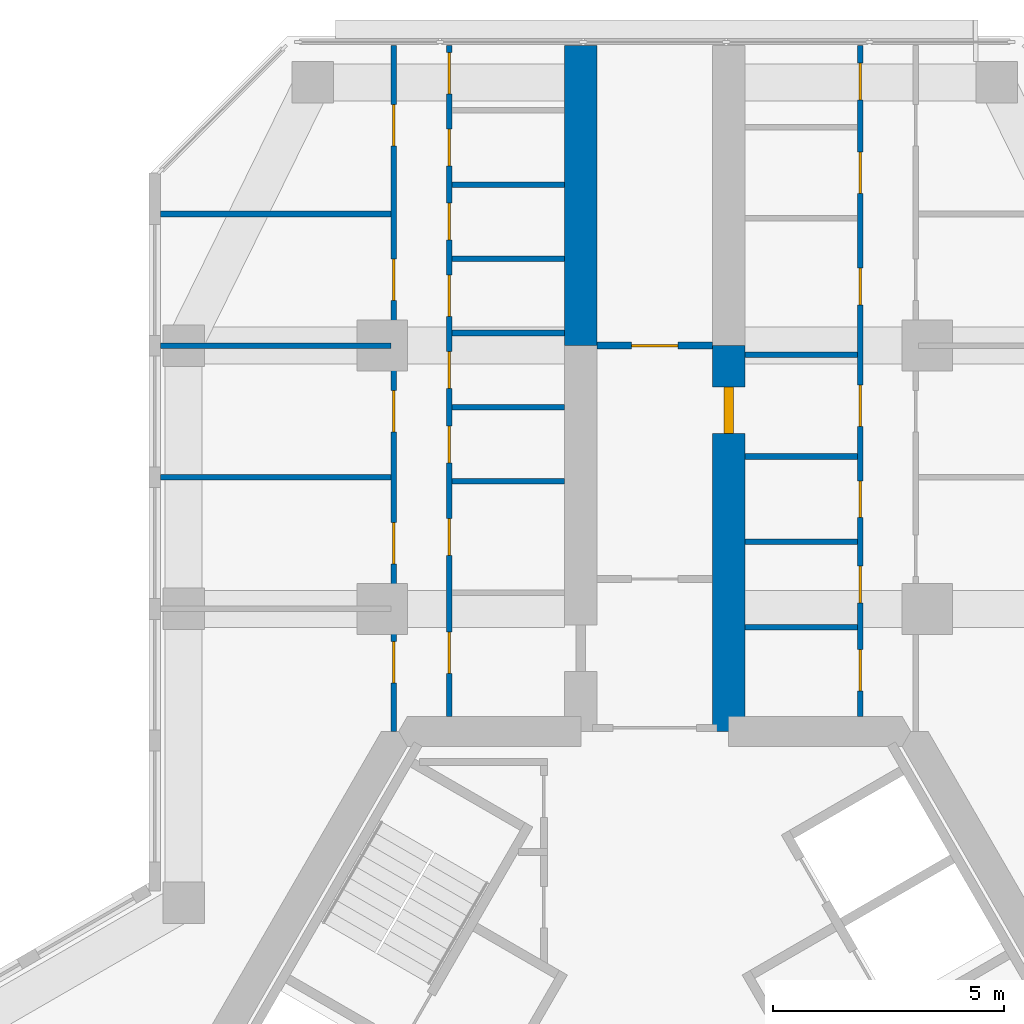
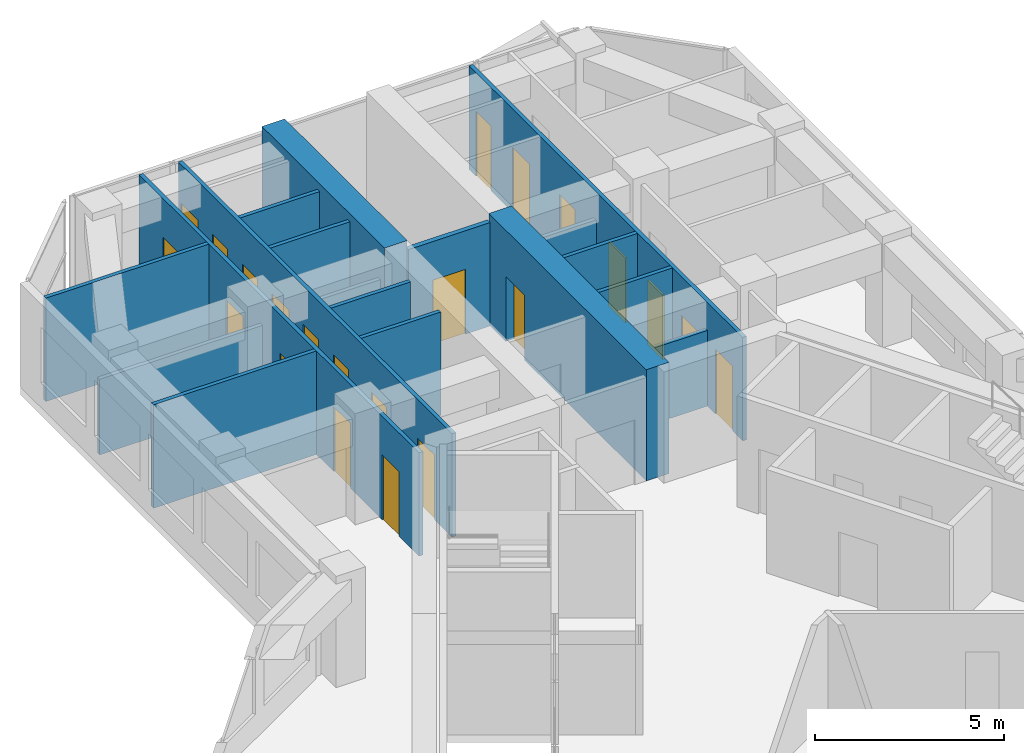
# One storey, part 14 of 16: 22 doors, 18 walls, 22 openings.
"""IFC4 building model written with IfcOpenShell, lengths in metres."""

import ifcopenshell
import ifcopenshell.guid

model = None  # the IFC model being written
_history = None  # IfcOwnerHistory: only IFC2X3 demands one
_inside = {}  # id of a spatial element -> (the spatial element, [elements in it])
_under = {}  # id of a project, library or spatial element -> (it, [spatial elements below it])
_declared = {}  # id of a project -> (the project, [libraries it declares])
_typed = {}  # id of a type object -> (the type object, [elements of that type])
_made_of = {}  # id of a material, layer set ... -> (it, [elements and type objects made of it])


def new_model(schema):
    """Start an empty IFC model of exactly this schema.

    Asked for "IFC4X3", IfcOpenShell would pick the latest addendum, in which some entities
    have other attributes; the version numbers below select the first issue.
    IFC2X3 requires an IfcOwnerHistory on every rooted entity: one is made here for all.
    """
    global model, _history
    if schema == "IFC4X3":
        model = ifcopenshell.file(schema_version=(4, 3, 0, 0))
    else:
        model = ifcopenshell.file(schema=schema)
    _inside.clear()
    _under.clear()
    _declared.clear()
    _typed.clear()
    _made_of.clear()
    _history = None
    if model.schema == "IFC2X3":
        org = make("IfcOrganization", Name="unknown")
        user = make(
            "IfcPersonAndOrganization",
            ThePerson=make("IfcPerson", FamilyName="unknown"),
            TheOrganization=org,
        )
        app = make(
            "IfcApplication",
            ApplicationDeveloper=org,
            Version="unknown",
            ApplicationFullName="unknown",
            ApplicationIdentifier="unknown",
        )
        _history = make(
            "IfcOwnerHistory",
            OwningUser=user,
            OwningApplication=app,
            ChangeAction="ADDED",
            CreationDate=0,
        )
    return model


def make(cls, **values):
    """One entity of the class cls with the attributes given. An attribute that is None is left unset."""
    return model.create_entity(
        cls, **{name: value for name, value in values.items() if value is not None}
    )


def rooted(cls, **values):
    """An entity with a GlobalId (a new one), such as an element, a storey or a relation."""
    return make(cls, GlobalId=ifcopenshell.guid.new(), OwnerHistory=_history, **values)


def si_unit(unit_type, name, prefix=None):
    """IfcSIUnit, for example si_unit("LENGTHUNIT", "METRE", prefix="MILLI")."""
    return make("IfcSIUnit", UnitType=unit_type, Prefix=prefix, Name=name)


def assignment(units):
    """IfcUnitAssignment: the units of a project."""
    return None if units is None else make("IfcUnitAssignment", Units=units)


def point(xyz):
    """IfcCartesianPoint."""
    return None if xyz is None else make("IfcCartesianPoint", Coordinates=xyz)


def direction(xyz):
    """IfcDirection."""
    return None if xyz is None else make("IfcDirection", DirectionRatios=xyz)


def frame(location, z_axis=None, x_axis=None):
    """IfcAxis2Placement3D, a coordinate frame: its origin and axes. An axis left out is left unset."""
    return make(
        "IfcAxis2Placement3D",
        Location=point(location),
        Axis=direction(z_axis),
        RefDirection=direction(x_axis),
    )


def frame_2d(location, x_axis=None):
    """IfcAxis2Placement2D, a coordinate frame in the plane: its origin and x axis."""
    return make(
        "IfcAxis2Placement2D", Location=point(location), RefDirection=direction(x_axis)
    )


def origin():
    """The frame at (0, 0, 0) with its axes left unset."""
    return frame((0.0, 0.0, 0.0))


def place(relative_to, where):
    """IfcLocalPlacement: puts the frame where relative to a parent placement (None: the world)."""
    return make(
        "IfcLocalPlacement", PlacementRelTo=relative_to, RelativePlacement=where
    )


def context(
    kind, dimensions, precision=None, world=None, true_north=None, identifier=None
):
    """IfcGeometricRepresentationContext, for example the 3D "Model" context."""
    return make(
        "IfcGeometricRepresentationContext",
        ContextIdentifier=identifier,
        ContextType=kind,
        CoordinateSpaceDimension=dimensions,
        Precision=precision,
        WorldCoordinateSystem=world,
        TrueNorth=true_north,
    )


def subcontext(parent, identifier, kind, view, scale=None):
    """IfcGeometricRepresentationSubContext, for example "Body" below "Model"."""
    return make(
        "IfcGeometricRepresentationSubContext",
        ContextIdentifier=identifier,
        ContextType=kind,
        ParentContext=parent,
        TargetScale=scale,
        TargetView=view,
    )


def project(units=None, contexts=None):
    """IfcProject with its units and contexts."""
    return rooted(
        "IfcProject",
        Name="project",
        RepresentationContexts=contexts,
        UnitsInContext=assignment(units),
    )


def spatial(cls, under=None, at=None, **own):
    """A site, building, storey or space (cls), placed at a placement, below another one or the project."""
    s = rooted(cls, ObjectPlacement=at, **own)
    if under is not None:
        _under.setdefault(under.id(), (under, []))[1].append(s)
    return s


def profile(cls, at=None, kind="AREA", **sizes):
    """A parametric profile (cls). Its sizes go by their IFC names, for example OverallWidth=200.0."""
    return make(cls, ProfileType=kind, Position=at, **sizes)


def rectangle(**sizes):
    """IfcRectangleProfileDef."""
    return profile("IfcRectangleProfileDef", **sizes)


def extrude(swept, where, along, depth):
    """IfcExtrudedAreaSolid: the profile swept, set in the frame where, extruded along a direction by depth."""
    return make(
        "IfcExtrudedAreaSolid",
        SweptArea=swept,
        Position=where,
        ExtrudedDirection=direction(along),
        Depth=depth,
    )


def shape(context_of_items, identifier, shape_type, items):
    """IfcShapeRepresentation: the items that make up one representation, for example the "Body"."""
    return make(
        "IfcShapeRepresentation",
        ContextOfItems=context_of_items,
        RepresentationIdentifier=identifier,
        RepresentationType=shape_type,
        Items=items,
    )


def material(Name=None, Category=None):
    """IfcMaterial."""
    return make("IfcMaterial", Name=Name, Category=Category)


def layer(
    of_material, thickness, ventilated=None, Name=None, Category=None, Priority=None
):
    """IfcMaterialLayer: one layer of a wall or slab, of a material (None: an air gap)."""
    return make(
        "IfcMaterialLayer",
        Material=of_material,
        LayerThickness=thickness,
        IsVentilated=ventilated,
        Name=Name,
        Category=Category,
        Priority=Priority,
    )


def layer_set(layers, Name=None):
    """IfcMaterialLayerSet."""
    return make("IfcMaterialLayerSet", MaterialLayers=layers, LayerSetName=Name)


def made_of(thing, what):
    """Note that an element or type object is made of a material, layer set ...; save() writes the relation."""
    if what is not None:
        _made_of.setdefault(what.id(), (what, []))[1].append(thing)
    return thing


def type_object(cls, material=None, **own):
    """A type object (cls), such as IfcWallType, which elements share."""
    return made_of(rooted(cls, **own), material)


def element(
    cls,
    number,
    at=None,
    inside=None,
    cuts=None,
    type_object=None,
    material=None,
    context=None,
    identifier="Body",
    shape_type=None,
    held_by="IfcProductDefinitionShape",
    body=None,
    shapes=None,
    **own,
):
    """One element of the class cls, such as IfcWall. Its Tag is "e" and its number.

    at: its placement. inside: the storey or other place that contains it. cuts: it is an
    opening in that element (IfcRelVoidsElement). A single representation is given by context,
    identifier, shape_type and body (its items); several are given by shapes. held_by: the class
    of the entity that holds the representations. save() writes the other relations.
    """
    e = rooted(cls, Tag="e%d" % number, ObjectPlacement=at, **own)
    if body is not None:
        shapes = [shape(context, identifier, shape_type, body)]
    if shapes is not None:
        e.Representation = make(held_by, Representations=shapes)
    if inside is not None:
        _inside.setdefault(inside.id(), (inside, []))[1].append(e)
    if cuts is not None:
        rooted(
            "IfcRelVoidsElement", RelatingBuildingElement=cuts, RelatedOpeningElement=e
        )
    if type_object is not None:
        _typed.setdefault(type_object.id(), (type_object, []))[1].append(e)
    return made_of(e, material)


def fill(opening, filler):
    """IfcRelFillsElement: the door or window that sits in an opening."""
    return rooted(
        "IfcRelFillsElement",
        RelatingOpeningElement=opening,
        RelatedBuildingElement=filler,
    )


def aggregate(whole, parts):
    """IfcRelAggregates: a whole, such as a stair, and the parts it consists of."""
    return rooted("IfcRelAggregates", RelatingObject=whole, RelatedObjects=parts)


def save(model, path):
    """Write the relations noted so far, then the file.

    IfcRelAggregates (storeys below a building ...), IfcRelContainedInSpatialStructure (elements
    in a storey), IfcRelDefinesByType, IfcRelAssociatesMaterial and IfcRelDeclares: one each for
    every whole, place, type object, material and project.
    """
    for whole, parts in _under.values():
        aggregate(whole, parts)
    for where, things in _inside.values():
        rooted(
            "IfcRelContainedInSpatialStructure",
            RelatedElements=things,
            RelatingStructure=where,
        )
    for kind, things in _typed.values():
        rooted("IfcRelDefinesByType", RelatedObjects=things, RelatingType=kind)
    for what, things in _made_of.values():
        rooted("IfcRelAssociatesMaterial", RelatedObjects=things, RelatingMaterial=what)
    for by, libraries in _declared.values():
        rooted("IfcRelDeclares", RelatingContext=by, RelatedDefinitions=libraries)
    model.write(path)


model = new_model("IFC4")

# Units and contexts
model_context = context("Model", 3, precision=1e-05, world=origin(), true_north=direction((0.0, 1.0)))
body_context = subcontext(model_context, "Body", "Model", "MODEL_VIEW")
ifc_project = project(units=[si_unit("LENGTHUNIT", "METRE"), si_unit("AREAUNIT", "SQUARE_METRE"), si_unit("VOLUMEUNIT", "CUBIC_METRE"), si_unit("PLANEANGLEUNIT", "RADIAN"), si_unit("MASSUNIT", "GRAM", prefix="KILO")], contexts=[model_context])

# Site, building, storey
site_placement = place(None, origin())
site = spatial("IfcSite", under=ifc_project, at=site_placement, CompositionType="ELEMENT")
building_placement = place(site_placement, origin())
building = spatial("IfcBuilding", under=site, at=building_placement, Name="Kosmar Iwan School Tower", CompositionType="ELEMENT")
storey_placement = place(building_placement, frame((0.0, 0.0, 219.0)))
storey = spatial("IfcBuildingStorey", under=building, at=storey_placement, Name="L55", CompositionType="ELEMENT", Elevation=219.0)

# Wall
ifc_material_1 = material(Name="Concrete C50/60", Category="concrete")
ifc_layer_1 = layer(ifc_material_1, 0.699951171875)
ifc_layer_set_1 = layer_set([ifc_layer_1], Name="Corridor buttress wall 700")
wall_type_1 = type_object("IfcWallType", Name="Corridor buttress wall 700", PredefinedType="SHEAR", material=ifc_layer_set_1)
wall_1_placement = place(storey_placement, frame((-1.60009765625, 17.949951171875, 0.0), z_axis=(0.0, 0.0, 1.0), x_axis=(0.0, 1.0, 0.0)))
element("IfcWall", 1, at=wall_1_placement, inside=storey, type_object=wall_type_1, Name="Corridor wall AL bay 2", PredefinedType="SHEAR", context=body_context, shape_type="SweptSolid", body=[
    extrude(rectangle(XDim=6.4951171875, YDim=0.699951171875, at=frame_2d((3.24755859375, 0.0))), origin(), (0.0, 0.0, 1.0), 3.60009765625),
])

# Wall, opening, door
wall_2_placement = place(storey_placement, frame((1.60009765625, 9.60009765625, 0.0), z_axis=(0.0, 0.0, 1.0), x_axis=(0.0, 1.0, 0.0)))
wall_2 = element("IfcWall", 2, at=wall_2_placement, inside=storey, type_object=wall_type_1, Name="Corridor wall AR", PredefinedType="SHEAR", context=body_context, shape_type="SweptSolid", body=[
    extrude(rectangle(XDim=8.349853515625, YDim=0.699951171875, at=frame_2d((4.1748046875, 0.0))), origin(), (0.0, 0.0, 1.0), 3.60009765625),
])
opening_1_placement = place(wall_2_placement, frame((6.449951171875, 0.0, 0.0)))
opening_1 = element("IfcOpeningElement", 3, at=opening_1_placement, cuts=wall_2, Name="Opening D1", PredefinedType="OPENING", context=body_context, shape_type="SweptSolid", body=[
    extrude(rectangle(XDim=1.0, YDim=2.10009765625, at=frame_2d((0.5, 1.050048828125))), frame((0.0, 0.362060546875, 0.0), z_axis=(0.0, -1.0, 0.0), x_axis=(1.0, 0.0, 0.0)), (0.0, 0.0, 1.0), 0.723876953125),
])
ifc_material_2 = material(Name="Timber fire door in steel frame", Category="steel")
door_type_1 = type_object("IfcDoorType", Name="Flat entrance door 1000x2100", OperationType="SINGLE_SWING_LEFT", PredefinedType="DOOR", material=ifc_material_2)
door_1_placement = place(opening_1_placement, origin())
door_1 = element("IfcDoor", 4, at=door_1_placement, inside=storey, type_object=door_type_1, Name="Flat L55-AR1 entrance door", OperationType="SINGLE_SWING_RIGHT", OverallHeight=2.10009765625, OverallWidth=1.0, PredefinedType="DOOR", context=body_context, shape_type="SweptSolid", body=[
    extrude(rectangle(XDim=1.0, YDim=2.10009765625, at=frame_2d((0.5, 1.050048828125))), frame((0.0, 0.10009765625, 0.0), z_axis=(0.0, -1.0, 0.0), x_axis=(1.0, 0.0, 0.0)), (0.0, 0.0, 1.0), 0.199951171875),
])
fill(opening_1, door_1)

ifc_material_3 = material(Name="Gypsum board on steel studs, fire-rated", Category="steel")
ifc_layer_2 = layer(ifc_material_3, 0.14990234375)
ifc_layer_set_2 = layer_set([ifc_layer_2], Name="Corridor end wall 150")
wall_type_2 = type_object("IfcWallType", Name="Corridor end wall 150", PredefinedType="PARTITIONING", material=ifc_layer_set_2)
wall_3_placement = place(storey_placement, frame((1.25, 17.949951171875, 0.0), z_axis=(0.0, 0.0, 1.0), x_axis=(-1.0, 0.0, 0.0)))
wall_3 = element("IfcWall", 5, at=wall_3_placement, inside=storey, type_object=wall_type_2, Name="Partition L55-A-CE", PredefinedType="PARTITIONING", context=body_context, shape_type="SweptSolid", body=[
    extrude(rectangle(XDim=2.5, YDim=0.14990234375, at=frame_2d((1.25, 0.0))), origin(), (0.0, 0.0, 1.0), 3.35009765625),
])
opening_2_placement = place(wall_3_placement, frame((0.75, 0.0, 0.0)))
opening_2 = element("IfcOpeningElement", 6, at=opening_2_placement, cuts=wall_3, Name="Opening D13", PredefinedType="OPENING", context=body_context, shape_type="SweptSolid", body=[
    extrude(rectangle(XDim=1.0, YDim=2.10009765625, at=frame_2d((0.5, 1.050048828125))), frame((0.0, 0.0869140625, 0.0), z_axis=(0.0, -1.0, 0.0), x_axis=(1.0, 0.0, 0.0)), (0.0, 0.0, 1.0), 0.173828125),
])
ifc_material_4 = material(Name="Timber fire door with vision panel", Category="wood")
door_type_2 = type_object("IfcDoorType", Name="Corridor end door 1000x2100", OperationType="SINGLE_SWING_LEFT", PredefinedType="DOOR", material=ifc_material_4)
door_2_placement = place(opening_2_placement, origin())
door_2 = element("IfcDoor", 7, at=door_2_placement, inside=storey, type_object=door_type_2, Name="Reading room door L55-A", OperationType="SINGLE_SWING_LEFT", OverallHeight=2.10009765625, OverallWidth=1.0, PredefinedType="DOOR", context=body_context, shape_type="SweptSolid", body=[
    extrude(rectangle(XDim=1.0, YDim=2.10009765625, at=frame_2d((0.5, 1.050048828125))), frame((0.0, 0.02490234375, 0.0), z_axis=(0.0, -1.0, 0.0), x_axis=(1.0, 0.0, 0.0)), (0.0, 0.0, 1.0), 0.050048828125),
])
fill(opening_2, door_2)

# Wall, openings, doors
ifc_material_5 = material(Name="Gypsum board on steel studs", Category="steel")
ifc_layer_3 = layer(ifc_material_5, 0.1201171875)
ifc_layer_set_3 = layer_set([ifc_layer_3], Name="Dwelling partition 120")
wall_type_3 = type_object("IfcWallType", Name="Dwelling partition 120", PredefinedType="PARTITIONING", material=ifc_layer_set_3)
wall_4_placement = place(storey_placement, frame((-4.449951171875, 9.925048828125, 0.0), z_axis=(0.0, 0.0, 1.0), x_axis=(0.0, 1.0, 0.0)))
wall_4 = element("IfcWall", 8, at=wall_4_placement, inside=storey, type_object=wall_type_3, Name="Partition L55-AL1-W1", PredefinedType="PARTITIONING", context=body_context, shape_type="SweptSolid", body=[
    extrude(rectangle(XDim=14.52001953125, YDim=0.1201171875, at=frame_2d((7.260009765625, 0.0))), origin(), (0.0, 0.0, 1.0), 3.35009765625),
])
opening_3_placement = place(wall_4_placement, frame((0.925048828125, 0.0, 0.0)))
opening_3 = element("IfcOpeningElement", 9, at=opening_3_placement, cuts=wall_4, Name="Opening D2", PredefinedType="OPENING", context=body_context, shape_type="SweptSolid", body=[
    extrude(rectangle(XDim=0.89990234375, YDim=2.10009765625, at=frame_2d((0.449951171875, 1.050048828125))), frame((0.0, 0.072021484375, 0.0), z_axis=(0.0, -1.0, 0.0), x_axis=(1.0, 0.0, 0.0)), (0.0, 0.0, 1.0), 0.14404296875),
])
opening_4_placement = place(wall_4_placement, frame((3.47998046875, 0.0, 0.0)))
opening_4 = element("IfcOpeningElement", 10, at=opening_4_placement, cuts=wall_4, Name="Opening D3", PredefinedType="OPENING", context=body_context, shape_type="SweptSolid", body=[
    extrude(rectangle(XDim=0.800048828125, YDim=2.10009765625, at=frame_2d((0.39990234375, 1.050048828125))), frame((0.0, 0.072021484375, 0.0), z_axis=(0.0, -1.0, 0.0), x_axis=(1.0, 0.0, 0.0)), (0.0, 0.0, 1.0), 0.14404296875),
])
opening_5_placement = place(wall_4_placement, frame((5.48828125, 0.0, 0.0)))
opening_5 = element("IfcOpeningElement", 11, at=opening_5_placement, cuts=wall_4, Name="Opening D3", PredefinedType="OPENING", context=body_context, shape_type="SweptSolid", body=[
    extrude(rectangle(XDim=0.800048828125, YDim=2.10009765625, at=frame_2d((0.39990234375, 1.050048828125))), frame((0.0, 0.072021484375, 0.0), z_axis=(0.0, -1.0, 0.0), x_axis=(1.0, 0.0, 0.0)), (0.0, 0.0, 1.0), 0.14404296875),
])
opening_6_placement = place(wall_4_placement, frame((7.094970703125, 0.0, 0.0)))
opening_6 = element("IfcOpeningElement", 12, at=opening_6_placement, cuts=wall_4, Name="Opening D3", PredefinedType="OPENING", context=body_context, shape_type="SweptSolid", body=[
    extrude(rectangle(XDim=0.800048828125, YDim=2.10009765625, at=frame_2d((0.39990234375, 1.050048828125))), frame((0.0, 0.072021484375, 0.0), z_axis=(0.0, -1.0, 0.0), x_axis=(1.0, 0.0, 0.0)), (0.0, 0.0, 1.0), 0.14404296875),
])
opening_7_placement = place(wall_4_placement, frame((8.651611328125, 0.0, 0.0)))
opening_7 = element("IfcOpeningElement", 13, at=opening_7_placement, cuts=wall_4, Name="Opening D2", PredefinedType="OPENING", context=body_context, shape_type="SweptSolid", body=[
    extrude(rectangle(XDim=0.89990234375, YDim=2.10009765625, at=frame_2d((0.449951171875, 1.050048828125))), frame((0.0, 0.072021484375, 0.0), z_axis=(0.0, -1.0, 0.0), x_axis=(1.0, 0.0, 0.0)), (0.0, 0.0, 1.0), 0.14404296875),
])
opening_8_placement = place(wall_4_placement, frame((10.308349609375, 0.0, 0.0)))
opening_8 = element("IfcOpeningElement", 14, at=opening_8_placement, cuts=wall_4, Name="Opening D3", PredefinedType="OPENING", context=body_context, shape_type="SweptSolid", body=[
    extrude(rectangle(XDim=0.800048828125, YDim=2.10009765625, at=frame_2d((0.39990234375, 1.050048828125))), frame((0.0, 0.072021484375, 0.0), z_axis=(0.0, -1.0, 0.0), x_axis=(1.0, 0.0, 0.0)), (0.0, 0.0, 1.0), 0.14404296875),
])
opening_9_placement = place(wall_4_placement, frame((11.9150390625, 0.0, 0.0)))
opening_9 = element("IfcOpeningElement", 15, at=opening_9_placement, cuts=wall_4, Name="Opening D3", PredefinedType="OPENING", context=body_context, shape_type="SweptSolid", body=[
    extrude(rectangle(XDim=0.800048828125, YDim=2.10009765625, at=frame_2d((0.39990234375, 1.050048828125))), frame((0.0, 0.072021484375, 0.0), z_axis=(0.0, -1.0, 0.0), x_axis=(1.0, 0.0, 0.0)), (0.0, 0.0, 1.0), 0.14404296875),
])
opening_10_placement = place(wall_4_placement, frame((13.4716796875, 0.0, 0.0)))
opening_10 = element("IfcOpeningElement", 16, at=opening_10_placement, cuts=wall_4, Name="Opening D2", PredefinedType="OPENING", context=body_context, shape_type="SweptSolid", body=[
    extrude(rectangle(XDim=0.89990234375, YDim=2.10009765625, at=frame_2d((0.449951171875, 1.050048828125))), frame((0.0, 0.072021484375, 0.0), z_axis=(0.0, -1.0, 0.0), x_axis=(1.0, 0.0, 0.0)), (0.0, 0.0, 1.0), 0.14404296875),
])
ifc_material_6 = material(Name="Timber door in timber frame", Category="wood")
door_type_3 = type_object("IfcDoorType", Name="Internal door 900x2100", OperationType="SINGLE_SWING_LEFT", PredefinedType="DOOR", material=ifc_material_6)
door_3_placement = place(opening_3_placement, origin())
door_3 = element("IfcDoor", 17, at=door_3_placement, inside=storey, type_object=door_type_3, Name="Entrance hall door L55-AL1-S1", OperationType="SINGLE_SWING_LEFT", OverallHeight=2.10009765625, OverallWidth=0.89990234375, PredefinedType="DOOR", context=body_context, shape_type="SweptSolid", body=[
    extrude(rectangle(XDim=0.89990234375, YDim=2.10009765625, at=frame_2d((0.449951171875, 1.050048828125))), frame((0.0, 0.02490234375, 0.0), z_axis=(0.0, -1.0, 0.0), x_axis=(1.0, 0.0, 0.0)), (0.0, 0.0, 1.0), 0.050048828125),
])
fill(opening_3, door_3)
door_4_placement = place(opening_7_placement, origin())
door_4 = element("IfcDoor", 18, at=door_4_placement, inside=storey, type_object=door_type_3, Name="Pantry door L55-AL1-S5", OperationType="SINGLE_SWING_RIGHT", OverallHeight=2.10009765625, OverallWidth=0.89990234375, PredefinedType="DOOR", context=body_context, shape_type="SweptSolid", body=[
    extrude(rectangle(XDim=0.89990234375, YDim=2.10009765625, at=frame_2d((0.449951171875, 1.050048828125))), frame((0.0, 0.02490234375, 0.0), z_axis=(0.0, -1.0, 0.0), x_axis=(1.0, 0.0, 0.0)), (0.0, 0.0, 1.0), 0.050048828125),
])
fill(opening_7, door_4)
door_5_placement = place(opening_10_placement, origin())
door_5 = element("IfcDoor", 19, at=door_5_placement, inside=storey, type_object=door_type_3, Name="Utility room door L55-AL1-S8", OperationType="SINGLE_SWING_RIGHT", OverallHeight=2.10009765625, OverallWidth=0.89990234375, PredefinedType="DOOR", context=body_context, shape_type="SweptSolid", body=[
    extrude(rectangle(XDim=0.89990234375, YDim=2.10009765625, at=frame_2d((0.449951171875, 1.050048828125))), frame((0.0, 0.02490234375, 0.0), z_axis=(0.0, -1.0, 0.0), x_axis=(1.0, 0.0, 0.0)), (0.0, 0.0, 1.0), 0.050048828125),
])
fill(opening_10, door_5)
ifc_material_7 = material(Name="Timber door in timber frame", Category="wood")
door_type_4 = type_object("IfcDoorType", Name="Sanitary room door 800x2100", OperationType="SINGLE_SWING_LEFT", PredefinedType="DOOR", material=ifc_material_7)
door_6_placement = place(opening_4_placement, origin())
door_6 = element("IfcDoor", 20, at=door_6_placement, inside=storey, type_object=door_type_4, Name="Bathroom door L55-AL1-S2", OperationType="SINGLE_SWING_LEFT", OverallHeight=2.10009765625, OverallWidth=0.800048828125, PredefinedType="DOOR", context=body_context, shape_type="SweptSolid", body=[
    extrude(rectangle(XDim=0.800048828125, YDim=2.10009765625, at=frame_2d((0.39990234375, 1.050048828125))), frame((0.0, 0.02490234375, 0.0), z_axis=(0.0, -1.0, 0.0), x_axis=(1.0, 0.0, 0.0)), (0.0, 0.0, 1.0), 0.050048828125),
])
fill(opening_4, door_6)
door_7_placement = place(opening_5_placement, origin())
door_7 = element("IfcDoor", 21, at=door_7_placement, inside=storey, type_object=door_type_4, Name="Grandparents' shower room door L55-AL1-S3", OperationType="SINGLE_SWING_LEFT", OverallHeight=2.10009765625, OverallWidth=0.800048828125, PredefinedType="DOOR", context=body_context, shape_type="SweptSolid", body=[
    extrude(rectangle(XDim=0.800048828125, YDim=2.10009765625, at=frame_2d((0.39990234375, 1.050048828125))), frame((0.0, 0.02490234375, 0.0), z_axis=(0.0, -1.0, 0.0), x_axis=(1.0, 0.0, 0.0)), (0.0, 0.0, 1.0), 0.050048828125),
])
fill(opening_5, door_7)
door_8_placement = place(opening_6_placement, origin())
door_8 = element("IfcDoor", 22, at=door_8_placement, inside=storey, type_object=door_type_4, Name="Shower room door L55-AL1-S4", OperationType="SINGLE_SWING_RIGHT", OverallHeight=2.10009765625, OverallWidth=0.800048828125, PredefinedType="DOOR", context=body_context, shape_type="SweptSolid", body=[
    extrude(rectangle(XDim=0.800048828125, YDim=2.10009765625, at=frame_2d((0.39990234375, 1.050048828125))), frame((0.0, 0.02490234375, 0.0), z_axis=(0.0, -1.0, 0.0), x_axis=(1.0, 0.0, 0.0)), (0.0, 0.0, 1.0), 0.050048828125),
])
fill(opening_6, door_8)
door_9_placement = place(opening_8_placement, origin())
door_9 = element("IfcDoor", 23, at=door_9_placement, inside=storey, type_object=door_type_4, Name="WC door L55-AL1-S6", OperationType="SINGLE_SWING_RIGHT", OverallHeight=2.10009765625, OverallWidth=0.800048828125, PredefinedType="DOOR", context=body_context, shape_type="SweptSolid", body=[
    extrude(rectangle(XDim=0.800048828125, YDim=2.10009765625, at=frame_2d((0.39990234375, 1.050048828125))), frame((0.0, 0.02490234375, 0.0), z_axis=(0.0, -1.0, 0.0), x_axis=(1.0, 0.0, 0.0)), (0.0, 0.0, 1.0), 0.050048828125),
])
fill(opening_8, door_9)
door_10_placement = place(opening_9_placement, origin())
door_10 = element("IfcDoor", 24, at=door_10_placement, inside=storey, type_object=door_type_4, Name="Store door L55-AL1-S7", OperationType="SINGLE_SWING_RIGHT", OverallHeight=2.10009765625, OverallWidth=0.800048828125, PredefinedType="DOOR", context=body_context, shape_type="SweptSolid", body=[
    extrude(rectangle(XDim=0.800048828125, YDim=2.10009765625, at=frame_2d((0.39990234375, 1.050048828125))), frame((0.0, 0.02490234375, 0.0), z_axis=(0.0, -1.0, 0.0), x_axis=(1.0, 0.0, 0.0)), (0.0, 0.0, 1.0), 0.050048828125),
])
fill(opening_9, door_10)

wall_5_placement = place(storey_placement, frame((-5.64990234375, 9.60009765625, 0.0), z_axis=(0.0, 0.0, 1.0), x_axis=(0.0, 1.0, 0.0)))
wall_5 = element("IfcWall", 25, at=wall_5_placement, inside=storey, type_object=wall_type_3, Name="Partition L55-AL1-W2", PredefinedType="PARTITIONING", context=body_context, shape_type="SweptSolid", body=[
    extrude(rectangle(XDim=14.844970703125, YDim=0.1201171875, at=frame_2d((7.42236328125, 0.0))), origin(), (0.0, 0.0, 1.0), 3.35009765625),
])
opening_11_placement = place(wall_5_placement, frame((1.050048828125, 0.0, 0.0)))
opening_11 = element("IfcOpeningElement", 26, at=opening_11_placement, cuts=wall_5, Name="Opening D2", PredefinedType="OPENING", context=body_context, shape_type="SweptSolid", body=[
    extrude(rectangle(XDim=0.89990234375, YDim=2.10009765625, at=frame_2d((0.449951171875, 1.050048828125))), frame((0.0, 0.072021484375, 0.0), z_axis=(0.0, -1.0, 0.0), x_axis=(1.0, 0.0, 0.0)), (0.0, 0.0, 1.0), 0.14404296875),
])
opening_12_placement = place(wall_5_placement, frame((3.625, 0.0, 0.0)))
opening_12 = element("IfcOpeningElement", 27, at=opening_12_placement, cuts=wall_5, Name="Opening D2", PredefinedType="OPENING", context=body_context, shape_type="SweptSolid", body=[
    extrude(rectangle(XDim=0.89990234375, YDim=2.10009765625, at=frame_2d((0.449951171875, 1.050048828125))), frame((0.0, 0.072021484375, 0.0), z_axis=(0.0, -1.0, 0.0), x_axis=(1.0, 0.0, 0.0)), (0.0, 0.0, 1.0), 0.14404296875),
])
opening_13_placement = place(wall_5_placement, frame((6.47509765625, 0.0, 0.0)))
opening_13 = element("IfcOpeningElement", 28, at=opening_13_placement, cuts=wall_5, Name="Opening D2", PredefinedType="OPENING", context=body_context, shape_type="SweptSolid", body=[
    extrude(rectangle(XDim=0.89990234375, YDim=2.10009765625, at=frame_2d((0.449951171875, 1.050048828125))), frame((0.0, 0.072021484375, 0.0), z_axis=(0.0, -1.0, 0.0), x_axis=(1.0, 0.0, 0.0)), (0.0, 0.0, 1.0), 0.14404296875),
])
opening_14_placement = place(wall_5_placement, frame((9.324951171875, 0.0, 0.0)))
opening_14 = element("IfcOpeningElement", 29, at=opening_14_placement, cuts=wall_5, Name="Opening D2", PredefinedType="OPENING", context=body_context, shape_type="SweptSolid", body=[
    extrude(rectangle(XDim=0.89990234375, YDim=2.10009765625, at=frame_2d((0.449951171875, 1.050048828125))), frame((0.0, 0.072021484375, 0.0), z_axis=(0.0, -1.0, 0.0), x_axis=(1.0, 0.0, 0.0)), (0.0, 0.0, 1.0), 0.14404296875),
])
opening_15_placement = place(wall_5_placement, frame((12.675048828125, 0.0, 0.0)))
opening_15 = element("IfcOpeningElement", 30, at=opening_15_placement, cuts=wall_5, Name="Opening D2", PredefinedType="OPENING", context=body_context, shape_type="SweptSolid", body=[
    extrude(rectangle(XDim=0.89990234375, YDim=2.10009765625, at=frame_2d((0.449951171875, 1.050048828125))), frame((0.0, 0.072021484375, 0.0), z_axis=(0.0, -1.0, 0.0), x_axis=(1.0, 0.0, 0.0)), (0.0, 0.0, 1.0), 0.14404296875),
])
door_11_placement = place(opening_11_placement, origin())
door_11 = element("IfcDoor", 31, at=door_11_placement, inside=storey, type_object=door_type_3, Name="Family room and kitchen door L55-AL1-F1", OperationType="SINGLE_SWING_LEFT", OverallHeight=2.10009765625, OverallWidth=0.89990234375, PredefinedType="DOOR", context=body_context, shape_type="SweptSolid", body=[
    extrude(rectangle(XDim=0.89990234375, YDim=2.10009765625, at=frame_2d((0.449951171875, 1.050048828125))), frame((0.0, 0.02490234375, 0.0), z_axis=(0.0, -1.0, 0.0), x_axis=(1.0, 0.0, 0.0)), (0.0, 0.0, 1.0), 0.050048828125),
])
fill(opening_11, door_11)
door_12_placement = place(opening_12_placement, origin())
door_12 = element("IfcDoor", 32, at=door_12_placement, inside=storey, type_object=door_type_3, Name="Study door L55-AL1-F2", OperationType="SINGLE_SWING_RIGHT", OverallHeight=2.10009765625, OverallWidth=0.89990234375, PredefinedType="DOOR", context=body_context, shape_type="SweptSolid", body=[
    extrude(rectangle(XDim=0.89990234375, YDim=2.10009765625, at=frame_2d((0.449951171875, 1.050048828125))), frame((0.0, 0.02490234375, 0.0), z_axis=(0.0, -1.0, 0.0), x_axis=(1.0, 0.0, 0.0)), (0.0, 0.0, 1.0), 0.050048828125),
])
fill(opening_12, door_12)
door_13_placement = place(opening_13_placement, origin())
door_13 = element("IfcDoor", 33, at=door_13_placement, inside=storey, type_object=door_type_3, Name="Bedroom 2 door L55-AL1-F3", OperationType="SINGLE_SWING_LEFT", OverallHeight=2.10009765625, OverallWidth=0.89990234375, PredefinedType="DOOR", context=body_context, shape_type="SweptSolid", body=[
    extrude(rectangle(XDim=0.89990234375, YDim=2.10009765625, at=frame_2d((0.449951171875, 1.050048828125))), frame((0.0, 0.02490234375, 0.0), z_axis=(0.0, -1.0, 0.0), x_axis=(1.0, 0.0, 0.0)), (0.0, 0.0, 1.0), 0.050048828125),
])
fill(opening_13, door_13)
door_14_placement = place(opening_14_placement, origin())
door_14 = element("IfcDoor", 34, at=door_14_placement, inside=storey, type_object=door_type_3, Name="Bedroom 1 door L55-AL1-F4", OperationType="SINGLE_SWING_RIGHT", OverallHeight=2.10009765625, OverallWidth=0.89990234375, PredefinedType="DOOR", context=body_context, shape_type="SweptSolid", body=[
    extrude(rectangle(XDim=0.89990234375, YDim=2.10009765625, at=frame_2d((0.449951171875, 1.050048828125))), frame((0.0, 0.02490234375, 0.0), z_axis=(0.0, -1.0, 0.0), x_axis=(1.0, 0.0, 0.0)), (0.0, 0.0, 1.0), 0.050048828125),
])
fill(opening_14, door_14)
door_15_placement = place(opening_15_placement, origin())
door_15 = element("IfcDoor", 35, at=door_15_placement, inside=storey, type_object=door_type_3, Name="Grandparents' suite door L55-AL1-F5", OperationType="SINGLE_SWING_RIGHT", OverallHeight=2.10009765625, OverallWidth=0.89990234375, PredefinedType="DOOR", context=body_context, shape_type="SweptSolid", body=[
    extrude(rectangle(XDim=0.89990234375, YDim=2.10009765625, at=frame_2d((0.449951171875, 1.050048828125))), frame((0.0, 0.02490234375, 0.0), z_axis=(0.0, -1.0, 0.0), x_axis=(1.0, 0.0, 0.0)), (0.0, 0.0, 1.0), 0.050048828125),
])
fill(opening_15, door_15)

# Walls
wall_6_placement = place(storey_placement, frame((-5.7099609375, 15.10009765625, 0.0), z_axis=(0.0, 0.0, 1.0), x_axis=(-1.0, 0.0, 0.0)))
element("IfcWall", 36, at=wall_6_placement, inside=storey, type_object=wall_type_3, Name="Partition L55-AL1-X2", PredefinedType="PARTITIONING", context=body_context, shape_type="SweptSolid", body=[
    extrude(rectangle(XDim=4.989990234375, YDim=0.1201171875, at=frame_2d((2.4951171875, 0.0))), origin(), (0.0, 0.0, 1.0), 3.35009765625),
])
wall_7_placement = place(storey_placement, frame((-5.7099609375, 17.949951171875, 0.0), z_axis=(0.0, 0.0, 1.0), x_axis=(-1.0, 0.0, 0.0)))
element("IfcWall", 37, at=wall_7_placement, inside=storey, type_object=wall_type_3, Name="Partition L55-AL1-X3", PredefinedType="PARTITIONING", context=body_context, shape_type="SweptSolid", body=[
    extrude(rectangle(XDim=4.989990234375, YDim=0.1201171875, at=frame_2d((2.4951171875, 0.0))), origin(), (0.0, 0.0, 1.0), 2.449951171875),
])
wall_8_placement = place(storey_placement, frame((-5.7099609375, 20.800048828125, 0.0), z_axis=(0.0, 0.0, 1.0), x_axis=(-1.0, 0.0, 0.0)))
element("IfcWall", 38, at=wall_8_placement, inside=storey, type_object=wall_type_3, Name="Partition L55-AL1-X4", PredefinedType="PARTITIONING", context=body_context, shape_type="SweptSolid", body=[
    extrude(rectangle(XDim=4.989990234375, YDim=0.1201171875, at=frame_2d((2.4951171875, 0.0))), origin(), (0.0, 0.0, 1.0), 3.35009765625),
])
for number, where, z_axis, x_axis, name in (
    (39, (-1.949951171875, 15.010009765625, 0.0), (0.0, 0.0, 1.0), (-1.0, 0.0, 0.0), "Partition L55-AL1-Y2"),
    (40, (-1.949951171875, 16.61669921875, 0.0), (0.0, 0.0, 1.0), (-1.0, 0.0, 0.0), "Partition L55-AL1-Y3"),
):
    element("IfcWall", number, at=place(storey_placement, frame(where, z_axis=z_axis, x_axis=x_axis)), inside=storey, type_object=wall_type_3, Name=name, PredefinedType="PARTITIONING", context=body_context, shape_type="SweptSolid", body=[
        extrude(rectangle(XDim=2.43994140625, YDim=0.1201171875, at=frame_2d((1.219970703125, 0.0))), origin(), (0.0, 0.0, 1.0), 3.35009765625),
    ])
wall_9_placement = place(storey_placement, frame((-1.949951171875, 18.223388671875, 0.0), z_axis=(0.0, 0.0, 1.0), x_axis=(-1.0, 0.0, 0.0)))
element("IfcWall", 41, at=wall_9_placement, inside=storey, type_object=wall_type_3, Name="Partition L55-AL1-Y4", PredefinedType="PARTITIONING", context=body_context, shape_type="SweptSolid", body=[
    extrude(rectangle(XDim=2.43994140625, YDim=0.1201171875, at=frame_2d((1.219970703125, 0.0))), origin(), (0.0, 0.0, 1.0), 2.449951171875),
])
for number, where, z_axis, x_axis, name in (
    (42, (-1.949951171875, 19.830078125, 0.0), (0.0, 0.0, 1.0), (-1.0, 0.0, 0.0), "Partition L55-AL1-Y5"),
    (43, (-1.949951171875, 21.436767578125, 0.0), (0.0, 0.0, 1.0), (-1.0, 0.0, 0.0), "Partition L55-AL1-Y6"),
):
    element("IfcWall", number, at=place(storey_placement, frame(where, z_axis=z_axis, x_axis=x_axis)), inside=storey, type_object=wall_type_3, Name=name, PredefinedType="PARTITIONING", context=body_context, shape_type="SweptSolid", body=[
        extrude(rectangle(XDim=2.43994140625, YDim=0.1201171875, at=frame_2d((1.219970703125, 0.0))), origin(), (0.0, 0.0, 1.0), 3.35009765625),
    ])

# Wall, openings, doors
wall_10_placement = place(storey_placement, frame((4.449951171875, 9.925048828125, 0.0), z_axis=(0.0, 0.0, 1.0), x_axis=(0.0, 1.0, 0.0)))
wall_10 = element("IfcWall", 44, at=wall_10_placement, inside=storey, type_object=wall_type_3, Name="Partition L55-AR1-W1", PredefinedType="PARTITIONING", context=body_context, shape_type="SweptSolid", body=[
    extrude(rectangle(XDim=14.52001953125, YDim=0.1201171875, at=frame_2d((7.260009765625, 0.0))), origin(), (0.0, 0.0, 1.0), 3.35009765625),
])
opening_16_placement = place(wall_10_placement, frame((0.550048828125, 0.0, 0.0)))
opening_16 = element("IfcOpeningElement", 45, at=opening_16_placement, cuts=wall_10, Name="Opening D2", PredefinedType="OPENING", context=body_context, shape_type="SweptSolid", body=[
    extrude(rectangle(XDim=0.89990234375, YDim=2.10009765625, at=frame_2d((0.449951171875, 1.050048828125))), frame((0.0, 0.072021484375, 0.0), z_axis=(0.0, -1.0, 0.0), x_axis=(1.0, 0.0, 0.0)), (0.0, 0.0, 1.0), 0.14404296875),
])
opening_17_placement = place(wall_10_placement, frame((2.449951171875, 0.0, 0.0)))
opening_17 = element("IfcOpeningElement", 46, at=opening_17_placement, cuts=wall_10, Name="Opening D3", PredefinedType="OPENING", context=body_context, shape_type="SweptSolid", body=[
    extrude(rectangle(XDim=0.800048828125, YDim=2.10009765625, at=frame_2d((0.39990234375, 1.050048828125))), frame((0.0, 0.072021484375, 0.0), z_axis=(0.0, -1.0, 0.0), x_axis=(1.0, 0.0, 0.0)), (0.0, 0.0, 1.0), 0.14404296875),
])
opening_18_placement = place(wall_10_placement, frame((4.300048828125, 0.0, 0.0)))
opening_18 = element("IfcOpeningElement", 47, at=opening_18_placement, cuts=wall_10, Name="Opening D3", PredefinedType="OPENING", context=body_context, shape_type="SweptSolid", body=[
    extrude(rectangle(XDim=0.800048828125, YDim=2.10009765625, at=frame_2d((0.39990234375, 1.050048828125))), frame((0.0, 0.072021484375, 0.0), z_axis=(0.0, -1.0, 0.0), x_axis=(1.0, 0.0, 0.0)), (0.0, 0.0, 1.0), 0.14404296875),
])
opening_19_placement = place(wall_10_placement, frame((6.27490234375, 0.0, 0.0)))
opening_19 = element("IfcOpeningElement", 48, at=opening_19_placement, cuts=wall_10, Name="Opening D2", PredefinedType="OPENING", context=body_context, shape_type="SweptSolid", body=[
    extrude(rectangle(XDim=0.89990234375, YDim=2.10009765625, at=frame_2d((0.449951171875, 1.050048828125))), frame((0.0, 0.072021484375, 0.0), z_axis=(0.0, -1.0, 0.0), x_axis=(1.0, 0.0, 0.0)), (0.0, 0.0, 1.0), 0.14404296875),
])
opening_20_placement = place(wall_10_placement, frame((8.903564453125, 0.0, 0.0)))
opening_20 = element("IfcOpeningElement", 49, at=opening_20_placement, cuts=wall_10, Name="Opening D3", PredefinedType="OPENING", context=body_context, shape_type="SweptSolid", body=[
    extrude(rectangle(XDim=0.800048828125, YDim=2.10009765625, at=frame_2d((0.39990234375, 1.050048828125))), frame((0.0, 0.072021484375, 0.0), z_axis=(0.0, -1.0, 0.0), x_axis=(1.0, 0.0, 0.0)), (0.0, 0.0, 1.0), 0.14404296875),
])
opening_21_placement = place(wall_10_placement, frame((11.31787109375, 0.0, 0.0)))
opening_21 = element("IfcOpeningElement", 50, at=opening_21_placement, cuts=wall_10, Name="Opening D2", PredefinedType="OPENING", context=body_context, shape_type="SweptSolid", body=[
    extrude(rectangle(XDim=0.89990234375, YDim=2.10009765625, at=frame_2d((0.449951171875, 1.050048828125))), frame((0.0, 0.072021484375, 0.0), z_axis=(0.0, -1.0, 0.0), x_axis=(1.0, 0.0, 0.0)), (0.0, 0.0, 1.0), 0.14404296875),
])
opening_22_placement = place(wall_10_placement, frame((13.33935546875, 0.0, 0.0)))
opening_22 = element("IfcOpeningElement", 51, at=opening_22_placement, cuts=wall_10, Name="Opening D3", PredefinedType="OPENING", context=body_context, shape_type="SweptSolid", body=[
    extrude(rectangle(XDim=0.800048828125, YDim=2.10009765625, at=frame_2d((0.39990234375, 1.050048828125))), frame((0.0, 0.072021484375, 0.0), z_axis=(0.0, -1.0, 0.0), x_axis=(1.0, 0.0, 0.0)), (0.0, 0.0, 1.0), 0.14404296875),
])
door_16_placement = place(opening_16_placement, origin())
door_16 = element("IfcDoor", 52, at=door_16_placement, inside=storey, type_object=door_type_3, Name="Utility room door L55-AR1-S1", OperationType="SINGLE_SWING_LEFT", OverallHeight=2.10009765625, OverallWidth=0.89990234375, PredefinedType="DOOR", context=body_context, shape_type="SweptSolid", body=[
    extrude(rectangle(XDim=0.89990234375, YDim=2.10009765625, at=frame_2d((0.449951171875, 1.050048828125))), frame((0.0, 0.02490234375, 0.0), z_axis=(0.0, -1.0, 0.0), x_axis=(1.0, 0.0, 0.0)), (0.0, 0.0, 1.0), 0.050048828125),
])
fill(opening_16, door_16)
door_17_placement = place(opening_19_placement, origin())
door_17 = element("IfcDoor", 53, at=door_17_placement, inside=storey, type_object=door_type_3, Name="Entrance hall door L55-AR1-S4", OperationType="SINGLE_SWING_RIGHT", OverallHeight=2.10009765625, OverallWidth=0.89990234375, PredefinedType="DOOR", context=body_context, shape_type="SweptSolid", body=[
    extrude(rectangle(XDim=0.89990234375, YDim=2.10009765625, at=frame_2d((0.449951171875, 1.050048828125))), frame((0.0, 0.02490234375, 0.0), z_axis=(0.0, -1.0, 0.0), x_axis=(1.0, 0.0, 0.0)), (0.0, 0.0, 1.0), 0.050048828125),
])
fill(opening_19, door_17)
door_18_placement = place(opening_21_placement, origin())
door_18 = element("IfcDoor", 54, at=door_18_placement, inside=storey, type_object=door_type_3, Name="Pantry door L55-AR1-S6", OperationType="SINGLE_SWING_RIGHT", OverallHeight=2.10009765625, OverallWidth=0.89990234375, PredefinedType="DOOR", context=body_context, shape_type="SweptSolid", body=[
    extrude(rectangle(XDim=0.89990234375, YDim=2.10009765625, at=frame_2d((0.449951171875, 1.050048828125))), frame((0.0, 0.02490234375, 0.0), z_axis=(0.0, -1.0, 0.0), x_axis=(1.0, 0.0, 0.0)), (0.0, 0.0, 1.0), 0.050048828125),
])
fill(opening_21, door_18)
door_19_placement = place(opening_17_placement, origin())
door_19 = element("IfcDoor", 55, at=door_19_placement, inside=storey, type_object=door_type_4, Name="WC door L55-AR1-S2", OperationType="SINGLE_SWING_RIGHT", OverallHeight=2.10009765625, OverallWidth=0.800048828125, PredefinedType="DOOR", context=body_context, shape_type="SweptSolid", body=[
    extrude(rectangle(XDim=0.800048828125, YDim=2.10009765625, at=frame_2d((0.39990234375, 1.050048828125))), frame((0.0, 0.02490234375, 0.0), z_axis=(0.0, -1.0, 0.0), x_axis=(1.0, 0.0, 0.0)), (0.0, 0.0, 1.0), 0.050048828125),
])
fill(opening_17, door_19)
door_20_placement = place(opening_18_placement, origin())
door_20 = element("IfcDoor", 56, at=door_20_placement, inside=storey, type_object=door_type_4, Name="Shower room door L55-AR1-S3", OperationType="SINGLE_SWING_LEFT", OverallHeight=2.10009765625, OverallWidth=0.800048828125, PredefinedType="DOOR", context=body_context, shape_type="SweptSolid", body=[
    extrude(rectangle(XDim=0.800048828125, YDim=2.10009765625, at=frame_2d((0.39990234375, 1.050048828125))), frame((0.0, 0.02490234375, 0.0), z_axis=(0.0, -1.0, 0.0), x_axis=(1.0, 0.0, 0.0)), (0.0, 0.0, 1.0), 0.050048828125),
])
fill(opening_18, door_20)
door_21_placement = place(opening_20_placement, origin())
door_21 = element("IfcDoor", 57, at=door_21_placement, inside=storey, type_object=door_type_4, Name="Bathroom door L55-AR1-S5", OperationType="SINGLE_SWING_LEFT", OverallHeight=2.10009765625, OverallWidth=0.800048828125, PredefinedType="DOOR", context=body_context, shape_type="SweptSolid", body=[
    extrude(rectangle(XDim=0.800048828125, YDim=2.10009765625, at=frame_2d((0.39990234375, 1.050048828125))), frame((0.0, 0.02490234375, 0.0), z_axis=(0.0, -1.0, 0.0), x_axis=(1.0, 0.0, 0.0)), (0.0, 0.0, 1.0), 0.050048828125),
])
fill(opening_20, door_21)
door_22_placement = place(opening_22_placement, origin())
door_22 = element("IfcDoor", 58, at=door_22_placement, inside=storey, type_object=door_type_4, Name="Store door L55-AR1-S7", OperationType="SINGLE_SWING_RIGHT", OverallHeight=2.10009765625, OverallWidth=0.800048828125, PredefinedType="DOOR", context=body_context, shape_type="SweptSolid", body=[
    extrude(rectangle(XDim=0.800048828125, YDim=2.10009765625, at=frame_2d((0.39990234375, 1.050048828125))), frame((0.0, 0.02490234375, 0.0), z_axis=(0.0, -1.0, 0.0), x_axis=(1.0, 0.0, 0.0)), (0.0, 0.0, 1.0), 0.050048828125),
])
fill(opening_22, door_22)

# Walls
wall_11_placement = place(storey_placement, frame((1.949951171875, 11.85009765625, 0.0), z_axis=(0.0, 0.0, 1.0), x_axis=(1.0, 0.0, 0.0)))
element("IfcWall", 59, at=wall_11_placement, inside=storey, type_object=wall_type_3, Name="Partition L55-AR1-Y1", PredefinedType="PARTITIONING", context=body_context, shape_type="SweptSolid", body=[
    extrude(rectangle(XDim=2.43994140625, YDim=0.1201171875, at=frame_2d((1.219970703125, 0.0))), origin(), (0.0, 0.0, 1.0), 2.449951171875),
])
for number, where, z_axis, x_axis, name in (
    (60, (1.949951171875, 13.699951171875, 0.0), (0.0, 0.0, 1.0), (1.0, 0.0, 0.0), "Partition L55-AR1-Y2"),
    (61, (1.949951171875, 15.550048828125, 0.0), (0.0, 0.0, 1.0), (1.0, 0.0, 0.0), "Partition L55-AR1-Y3"),
):
    element("IfcWall", number, at=place(storey_placement, frame(where, z_axis=z_axis, x_axis=x_axis)), inside=storey, type_object=wall_type_3, Name=name, PredefinedType="PARTITIONING", context=body_context, shape_type="SweptSolid", body=[
        extrude(rectangle(XDim=2.43994140625, YDim=0.1201171875, at=frame_2d((1.219970703125, 0.0))), origin(), (0.0, 0.0, 1.0), 3.35009765625),
    ])
wall_12_placement = place(storey_placement, frame((1.949951171875, 17.75, 0.0), z_axis=(0.0, 0.0, 1.0), x_axis=(1.0, 0.0, 0.0)))
element("IfcWall", 62, at=wall_12_placement, inside=storey, type_object=wall_type_3, Name="Partition L55-AR1-Y4", PredefinedType="PARTITIONING", context=body_context, shape_type="SweptSolid", body=[
    extrude(rectangle(XDim=2.43994140625, YDim=0.1201171875, at=frame_2d((1.219970703125, 0.0))), origin(), (0.0, 0.0, 1.0), 2.449951171875),
])

save(model, "model.ifc")
